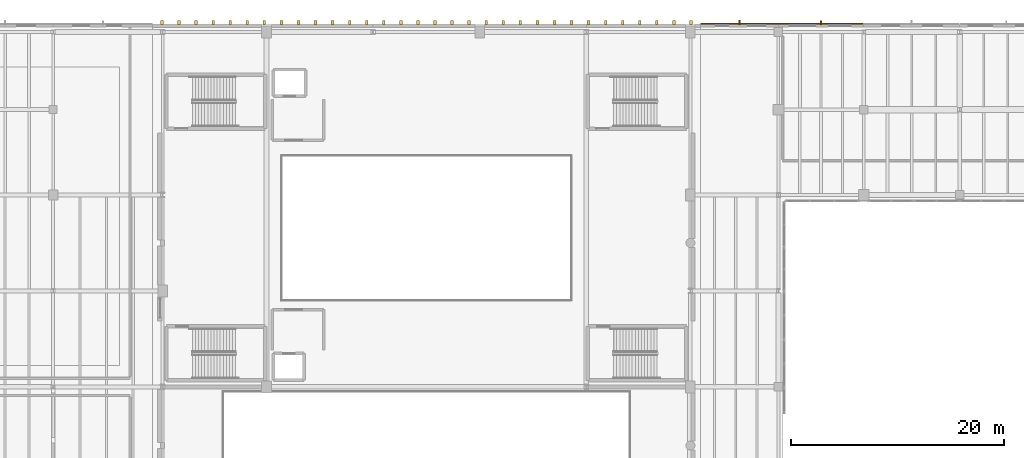
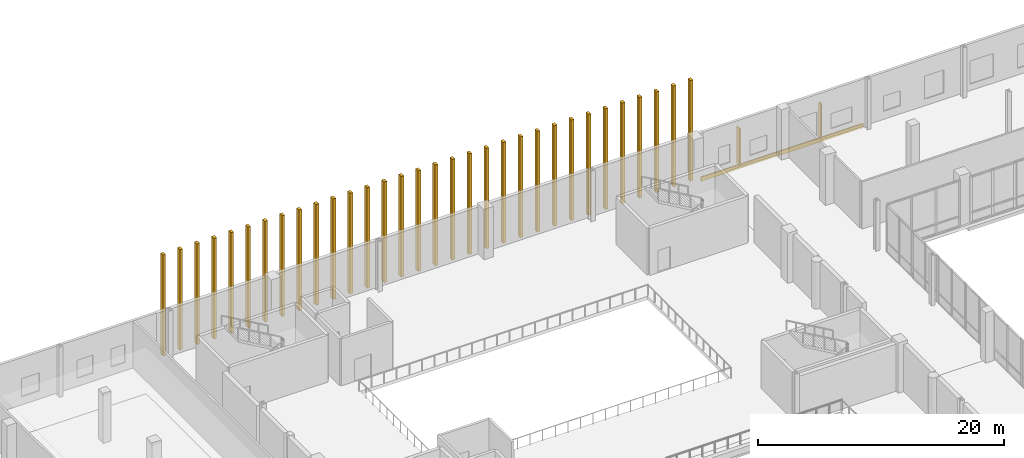
# One storey, part 78 of 81: 34 coverings, 2 shading devices.
"""IFC4 building model written with IfcOpenShell, lengths in metres."""

from ifc_helpers import new_model, si_unit, direction, frame, origin, origin_2d, place, context, subcontext, project, spatial, rectangle, extrude, material, layer, layer_set, type_object, element, save


model = new_model("IFC4")

# Units and contexts
model_context = context("Model", 3, precision=1e-05, world=origin(), true_north=direction((0.0, 1.0)))
body_context = subcontext(model_context, "Body", "Model", "MODEL_VIEW")
ifc_project = project(units=[si_unit("LENGTHUNIT", "METRE"), si_unit("AREAUNIT", "SQUARE_METRE"), si_unit("VOLUMEUNIT", "CUBIC_METRE"), si_unit("PLANEANGLEUNIT", "RADIAN"), si_unit("MASSUNIT", "GRAM", prefix="KILO")], contexts=[model_context])

# Site, building, storey
site_placement = place(None, origin())
site = spatial("IfcSite", under=ifc_project, at=site_placement, CompositionType="ELEMENT")
building_placement = place(site_placement, origin())
building = spatial("IfcBuilding", under=site, at=building_placement, Name="Trimount Lyric Opera House", CompositionType="ELEMENT")
storey_placement = place(building_placement, frame((0.0, 0.0, 5.0)))
storey = spatial("IfcBuildingStorey", under=building, at=storey_placement, Name="L01", CompositionType="ELEMENT", Elevation=5.0)

# Coverings
ifc_material_1 = material(Name="Extruded Brushed Aluminium Vertical Shed Rib", Category="aluminium")
ifc_layer_1 = layer(ifc_material_1, 0.260009765625)
ifc_layer_set_1 = layer_set([ifc_layer_1], Name="CLD-RIB1")
covering_type_1 = type_object("IfcCoveringType", Name="CLD-RIB1", PredefinedType="CLADDING", material=ifc_layer_set_1)
for number, where, z_axis, x_axis, name in (
    (1, (64.199951171875, 118.1650390625, 0.0), (0.0, 0.0, 1.0), (1.0, 0.0, 0.0), "Fly-tower north vertical cladding rib 123"),
    (2, (65.800048828125, 118.1650390625, 0.0), (0.0, 0.0, 1.0), (1.0, 0.0, 0.0), "Fly-tower north vertical cladding rib 128"),
    (3, (67.39990234375, 118.1650390625, 0.0), (0.0, 0.0, 1.0), (1.0, 0.0, 0.0), "Fly-tower north vertical cladding rib 133"),
    (4, (69.0, 118.1650390625, 0.0), (0.0, 0.0, 1.0), (1.0, 0.0, 0.0), "Fly-tower north vertical cladding rib 138"),
    (5, (70.60009765625, 118.1650390625, 0.0), (0.0, 0.0, 1.0), (1.0, 0.0, 0.0), "Fly-tower north vertical cladding rib 143"),
    (6, (72.199951171875, 118.1650390625, 0.0), (0.0, 0.0, 1.0), (1.0, 0.0, 0.0), "Fly-tower north vertical cladding rib 148"),
    (7, (73.800048828125, 118.1650390625, 0.0), (0.0, 0.0, 1.0), (1.0, 0.0, 0.0), "Fly-tower north vertical cladding rib 153"),
    (8, (75.39990234375, 118.1650390625, 0.0), (0.0, 0.0, 1.0), (1.0, 0.0, 0.0), "Fly-tower north vertical cladding rib 158"),
    (9, (77.0, 118.1650390625, 0.0), (0.0, 0.0, 1.0), (1.0, 0.0, 0.0), "Fly-tower north vertical cladding rib 163"),
    (10, (78.60009765625, 118.1650390625, 0.0), (0.0, 0.0, 1.0), (1.0, 0.0, 0.0), "Fly-tower north vertical cladding rib 168"),
    (11, (80.199951171875, 118.1650390625, 0.0), (0.0, 0.0, 1.0), (1.0, 0.0, 0.0), "Fly-tower north vertical cladding rib 173"),
    (12, (81.800048828125, 118.1650390625, 0.0), (0.0, 0.0, 1.0), (1.0, 0.0, 0.0), "Fly-tower north vertical cladding rib 178"),
    (13, (83.39990234375, 118.1650390625, 0.0), (0.0, 0.0, 1.0), (1.0, 0.0, 0.0), "Fly-tower north vertical cladding rib 183"),
    (14, (85.0, 118.1650390625, 0.0), (0.0, 0.0, 1.0), (1.0, 0.0, 0.0), "Fly-tower north vertical cladding rib 188"),
    (15, (86.60009765625, 118.1650390625, 0.0), (0.0, 0.0, 1.0), (1.0, 0.0, 0.0), "Fly-tower north vertical cladding rib 193"),
    (16, (88.199951171875, 118.1650390625, 0.0), (0.0, 0.0, 1.0), (1.0, 0.0, 0.0), "Fly-tower north vertical cladding rib 198"),
    (17, (89.800048828125, 118.1650390625, 0.0), (0.0, 0.0, 1.0), (1.0, 0.0, 0.0), "Fly-tower north vertical cladding rib 203"),
    (18, (91.39990234375, 118.1650390625, 0.0), (0.0, 0.0, 1.0), (1.0, 0.0, 0.0), "Fly-tower north vertical cladding rib 208"),
    (19, (93.0, 118.1650390625, 0.0), (0.0, 0.0, 1.0), (1.0, 0.0, 0.0), "Fly-tower north vertical cladding rib 213"),
    (20, (94.60009765625, 118.1650390625, 0.0), (0.0, 0.0, 1.0), (1.0, 0.0, 0.0), "Fly-tower north vertical cladding rib 218"),
    (21, (96.199951171875, 118.1650390625, 0.0), (0.0, 0.0, 1.0), (1.0, 0.0, 0.0), "Fly-tower north vertical cladding rib 223"),
    (22, (97.800048828125, 118.1650390625, 0.0), (0.0, 0.0, 1.0), (1.0, 0.0, 0.0), "Fly-tower north vertical cladding rib 228"),
    (23, (99.39990234375, 118.1650390625, 0.0), (0.0, 0.0, 1.0), (1.0, 0.0, 0.0), "Fly-tower north vertical cladding rib 233"),
    (24, (101.0, 118.1650390625, 0.0), (0.0, 0.0, 1.0), (1.0, 0.0, 0.0), "Fly-tower north vertical cladding rib 238"),
    (25, (102.60009765625, 118.1650390625, 0.0), (0.0, 0.0, 1.0), (1.0, 0.0, 0.0), "Fly-tower north vertical cladding rib 243"),
    (26, (104.199951171875, 118.1650390625, 0.0), (0.0, 0.0, 1.0), (1.0, 0.0, 0.0), "Fly-tower north vertical cladding rib 248"),
    (27, (105.800048828125, 118.1650390625, 0.0), (0.0, 0.0, 1.0), (1.0, 0.0, 0.0), "Fly-tower north vertical cladding rib 253"),
    (28, (107.39990234375, 118.1650390625, 0.0), (0.0, 0.0, 1.0), (1.0, 0.0, 0.0), "Fly-tower north vertical cladding rib 258"),
    (29, (109.0, 118.1650390625, 0.0), (0.0, 0.0, 1.0), (1.0, 0.0, 0.0), "Fly-tower north vertical cladding rib 263"),
    (30, (110.60009765625, 118.1650390625, 0.0), (0.0, 0.0, 1.0), (1.0, 0.0, 0.0), "Fly-tower north vertical cladding rib 268"),
    (31, (112.199951171875, 118.1650390625, 0.0), (0.0, 0.0, 1.0), (1.0, 0.0, 0.0), "Fly-tower north vertical cladding rib 273"),
    (32, (113.800048828125, 118.1650390625, 0.0), (0.0, 0.0, 1.0), (1.0, 0.0, 0.0), "Fly-tower north vertical cladding rib 278"),
):
    element("IfcCovering", number, at=place(storey_placement, frame(where, z_axis=z_axis, x_axis=x_axis)), inside=storey, type_object=covering_type_1, Name=name, PredefinedType="CLADDING", context=body_context, shape_type="SweptSolid", body=[
        extrude(rectangle(XDim=0.260009765625, YDim=0.3798828125, at=origin_2d()), origin(), (0.0, 0.0, 1.0), 10.02001953125),
    ])
ifc_material_2 = material(Name="Architectural Precast Concrete Spandrel Band", Category="concrete")
ifc_layer_2 = layer(ifc_material_2, 0.094970703125)
ifc_layer_set_2 = layer_set([ifc_layer_2], Name="CLD-WING1")
covering_type_2 = type_object("IfcCoveringType", Name="CLD-WING1", PredefinedType="CLADDING", material=ifc_layer_set_2)
covering_1_placement = place(storey_placement, frame((118.340087890625, 118.04150390625, -0.369873046875), z_axis=(0.0, 0.0, 1.0), x_axis=(1.0, 0.0, 0.0)))
element("IfcCovering", 33, at=covering_1_placement, inside=storey, type_object=covering_type_2, Name="L01 precast slab-edge spandrel 177", PredefinedType="CLADDING", context=body_context, shape_type="SweptSolid", body=[
    extrude(rectangle(XDim=7.260009765625, YDim=0.094970703125, at=origin_2d()), origin(), (0.0, 0.0, 1.0), 0.419921875),
])
covering_2_placement = place(storey_placement, frame((126.0, 118.04150390625, -0.369873046875), z_axis=(0.0, 0.0, 1.0), x_axis=(1.0, 0.0, 0.0)))
element("IfcCovering", 34, at=covering_2_placement, inside=storey, type_object=covering_type_2, Name="L01 precast slab-edge spandrel 178", PredefinedType="CLADDING", context=body_context, shape_type="SweptSolid", body=[
    extrude(rectangle(XDim=7.93994140625, YDim=0.094970703125, at=origin_2d()), origin(), (0.0, 0.0, 1.0), 0.419921875),
])

# Shading devices
ifc_material_3 = material(Name="Extruded Bronze Vertical Acoustic Fin")
shading_device_type_1 = type_object("IfcShadingDeviceType", Name="SHD-FIN1", PredefinedType="USERDEFINED", material=ifc_material_3)
shading_device_1_placement = place(storey_placement, frame((118.340087890625, 118.179931640625, 0.0), z_axis=(0.0, 0.0, 1.0), x_axis=(1.0, 0.0, 0.0)))
element("IfcShadingDevice", 35, at=shading_device_1_placement, inside=storey, type_object=shading_device_type_1, Name="Vertical architectural facade fin 065", ObjectType="FIN", PredefinedType="USERDEFINED", context=body_context, shape_type="SweptSolid", body=[
    extrude(rectangle(XDim=0.139892578125, YDim=0.449951171875, at=origin_2d()), origin(), (0.0, 0.0, 1.0), 3.60009765625),
])
ifc_material_4 = material(Name="Extruded White Aluminium Sun Fin", Category="aluminium")
shading_device_type_2 = type_object("IfcShadingDeviceType", Name="SHD-FIN2", PredefinedType="USERDEFINED", material=ifc_material_4)
shading_device_2_placement = place(storey_placement, frame((126.0, 118.14501953125, 0.0), z_axis=(0.0, 0.0, 1.0), x_axis=(1.0, 0.0, 0.0)))
element("IfcShadingDevice", 36, at=shading_device_2_placement, inside=storey, type_object=shading_device_type_2, Name="Vertical architectural facade fin 066", ObjectType="FIN", PredefinedType="USERDEFINED", context=body_context, shape_type="SweptSolid", body=[
    extrude(rectangle(XDim=0.1201171875, YDim=0.3798828125, at=origin_2d()), origin(), (0.0, 0.0, 1.0), 3.39990234375),
])

save(model, "model.ifc")
